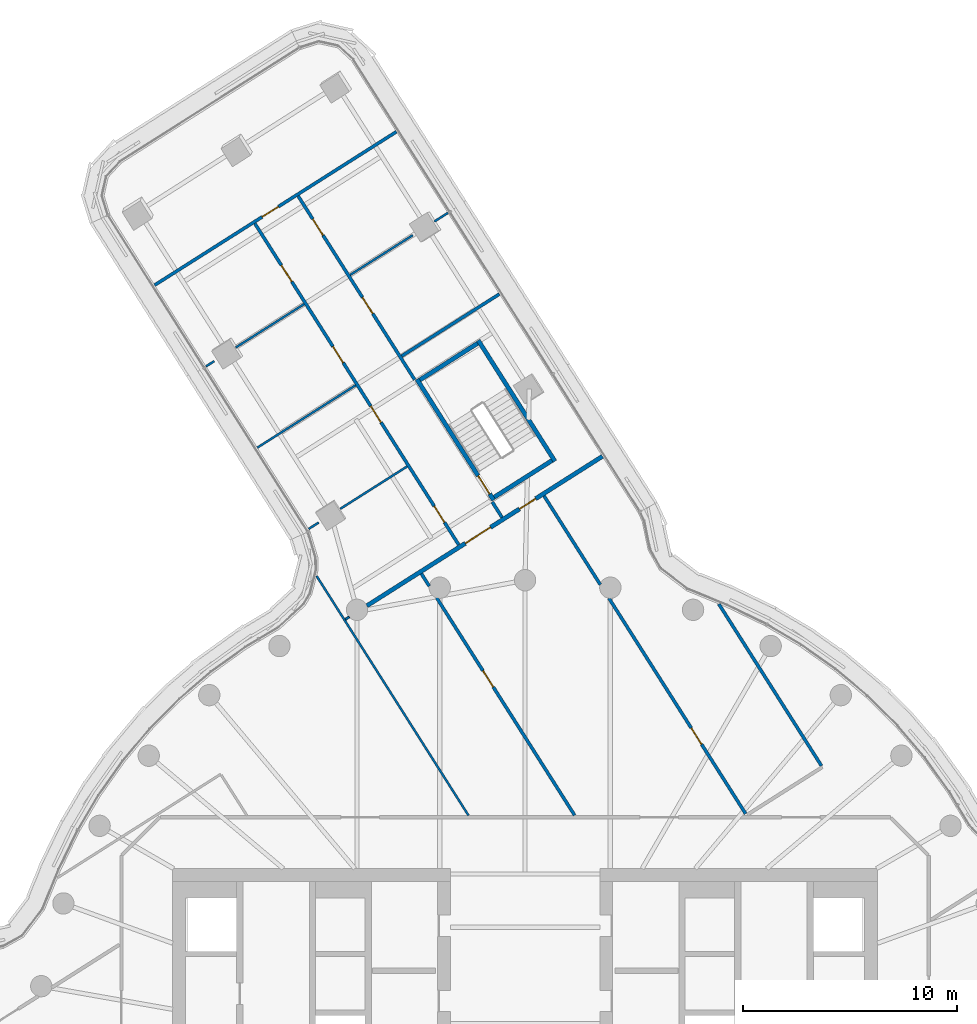
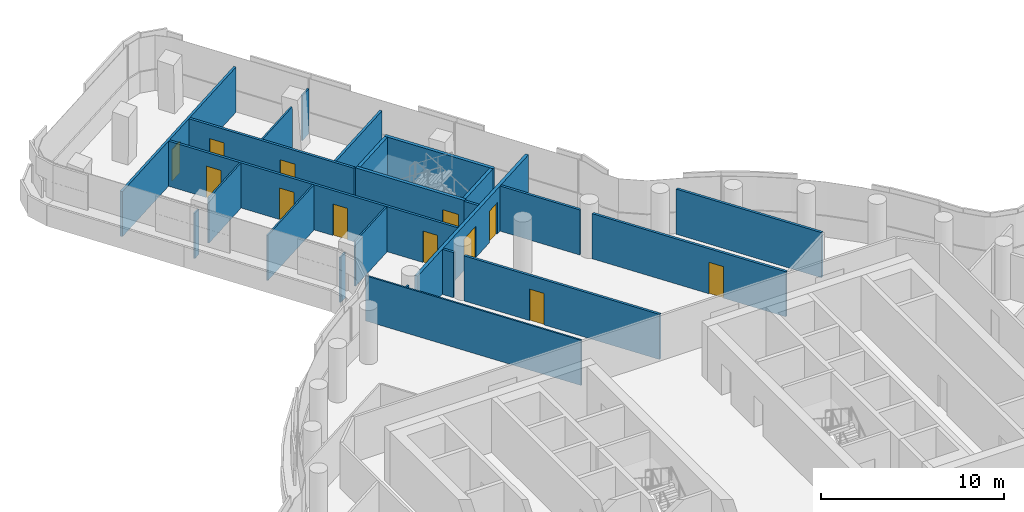
# One storey, part 27 of 36: 24 walls, 12 doors, 12 openings.
"""IFC4 building model written with IfcOpenShell, lengths in metres."""

import ifcopenshell
import ifcopenshell.guid

model = None  # the IFC model being written
_history = None  # IfcOwnerHistory: only IFC2X3 demands one
_inside = {}  # id of a spatial element -> (the spatial element, [elements in it])
_under = {}  # id of a project, library or spatial element -> (it, [spatial elements below it])
_declared = {}  # id of a project -> (the project, [libraries it declares])
_typed = {}  # id of a type object -> (the type object, [elements of that type])
_made_of = {}  # id of a material, layer set ... -> (it, [elements and type objects made of it])


def new_model(schema):
    """Start an empty IFC model of exactly this schema.

    Asked for "IFC4X3", IfcOpenShell would pick the latest addendum, in which some entities
    have other attributes; the version numbers below select the first issue.
    IFC2X3 requires an IfcOwnerHistory on every rooted entity: one is made here for all.
    """
    global model, _history
    if schema == "IFC4X3":
        model = ifcopenshell.file(schema_version=(4, 3, 0, 0))
    else:
        model = ifcopenshell.file(schema=schema)
    _inside.clear()
    _under.clear()
    _declared.clear()
    _typed.clear()
    _made_of.clear()
    _history = None
    if model.schema == "IFC2X3":
        org = make("IfcOrganization", Name="unknown")
        user = make(
            "IfcPersonAndOrganization",
            ThePerson=make("IfcPerson", FamilyName="unknown"),
            TheOrganization=org,
        )
        app = make(
            "IfcApplication",
            ApplicationDeveloper=org,
            Version="unknown",
            ApplicationFullName="unknown",
            ApplicationIdentifier="unknown",
        )
        _history = make(
            "IfcOwnerHistory",
            OwningUser=user,
            OwningApplication=app,
            ChangeAction="ADDED",
            CreationDate=0,
        )
    return model


def make(cls, **values):
    """One entity of the class cls with the attributes given. An attribute that is None is left unset."""
    return model.create_entity(
        cls, **{name: value for name, value in values.items() if value is not None}
    )


def rooted(cls, **values):
    """An entity with a GlobalId (a new one), such as an element, a storey or a relation."""
    return make(cls, GlobalId=ifcopenshell.guid.new(), OwnerHistory=_history, **values)


def si_unit(unit_type, name, prefix=None):
    """IfcSIUnit, for example si_unit("LENGTHUNIT", "METRE", prefix="MILLI")."""
    return make("IfcSIUnit", UnitType=unit_type, Prefix=prefix, Name=name)


def assignment(units):
    """IfcUnitAssignment: the units of a project."""
    return None if units is None else make("IfcUnitAssignment", Units=units)


def point(xyz):
    """IfcCartesianPoint."""
    return None if xyz is None else make("IfcCartesianPoint", Coordinates=xyz)


def direction(xyz):
    """IfcDirection."""
    return None if xyz is None else make("IfcDirection", DirectionRatios=xyz)


def frame(location, z_axis=None, x_axis=None):
    """IfcAxis2Placement3D, a coordinate frame: its origin and axes. An axis left out is left unset."""
    return make(
        "IfcAxis2Placement3D",
        Location=point(location),
        Axis=direction(z_axis),
        RefDirection=direction(x_axis),
    )


def frame_2d(location, x_axis=None):
    """IfcAxis2Placement2D, a coordinate frame in the plane: its origin and x axis."""
    return make(
        "IfcAxis2Placement2D", Location=point(location), RefDirection=direction(x_axis)
    )


def origin():
    """The frame at (0, 0, 0) with its axes left unset."""
    return frame((0.0, 0.0, 0.0))


def place(relative_to, where):
    """IfcLocalPlacement: puts the frame where relative to a parent placement (None: the world)."""
    return make(
        "IfcLocalPlacement", PlacementRelTo=relative_to, RelativePlacement=where
    )


def context(
    kind, dimensions, precision=None, world=None, true_north=None, identifier=None
):
    """IfcGeometricRepresentationContext, for example the 3D "Model" context."""
    return make(
        "IfcGeometricRepresentationContext",
        ContextIdentifier=identifier,
        ContextType=kind,
        CoordinateSpaceDimension=dimensions,
        Precision=precision,
        WorldCoordinateSystem=world,
        TrueNorth=true_north,
    )


def subcontext(parent, identifier, kind, view, scale=None):
    """IfcGeometricRepresentationSubContext, for example "Body" below "Model"."""
    return make(
        "IfcGeometricRepresentationSubContext",
        ContextIdentifier=identifier,
        ContextType=kind,
        ParentContext=parent,
        TargetScale=scale,
        TargetView=view,
    )


def project(units=None, contexts=None):
    """IfcProject with its units and contexts."""
    return rooted(
        "IfcProject",
        Name="project",
        RepresentationContexts=contexts,
        UnitsInContext=assignment(units),
    )


def spatial(cls, under=None, at=None, **own):
    """A site, building, storey or space (cls), placed at a placement, below another one or the project."""
    s = rooted(cls, ObjectPlacement=at, **own)
    if under is not None:
        _under.setdefault(under.id(), (under, []))[1].append(s)
    return s


def polyline(points):
    """IfcPolyline through the points."""
    return make("IfcPolyline", Points=[point(p) for p in points])


def profile(cls, at=None, kind="AREA", **sizes):
    """A parametric profile (cls). Its sizes go by their IFC names, for example OverallWidth=200.0."""
    return make(cls, ProfileType=kind, Position=at, **sizes)


def rectangle(**sizes):
    """IfcRectangleProfileDef."""
    return profile("IfcRectangleProfileDef", **sizes)


def outline(outer, holes=None, kind="AREA"):
    """IfcArbitraryClosedProfileDef: a profile drawn as a closed curve; with holes, ...WithVoids."""
    if holes is None:
        return make("IfcArbitraryClosedProfileDef", ProfileType=kind, OuterCurve=outer)
    return make(
        "IfcArbitraryProfileDefWithVoids",
        ProfileType=kind,
        OuterCurve=outer,
        InnerCurves=holes,
    )


def extrude(swept, where, along, depth):
    """IfcExtrudedAreaSolid: the profile swept, set in the frame where, extruded along a direction by depth."""
    return make(
        "IfcExtrudedAreaSolid",
        SweptArea=swept,
        Position=where,
        ExtrudedDirection=direction(along),
        Depth=depth,
    )


def shape(context_of_items, identifier, shape_type, items):
    """IfcShapeRepresentation: the items that make up one representation, for example the "Body"."""
    return make(
        "IfcShapeRepresentation",
        ContextOfItems=context_of_items,
        RepresentationIdentifier=identifier,
        RepresentationType=shape_type,
        Items=items,
    )


def material(Name=None, Category=None):
    """IfcMaterial."""
    return make("IfcMaterial", Name=Name, Category=Category)


def layer(
    of_material, thickness, ventilated=None, Name=None, Category=None, Priority=None
):
    """IfcMaterialLayer: one layer of a wall or slab, of a material (None: an air gap)."""
    return make(
        "IfcMaterialLayer",
        Material=of_material,
        LayerThickness=thickness,
        IsVentilated=ventilated,
        Name=Name,
        Category=Category,
        Priority=Priority,
    )


def layer_set(layers, Name=None):
    """IfcMaterialLayerSet."""
    return make("IfcMaterialLayerSet", MaterialLayers=layers, LayerSetName=Name)


def made_of(thing, what):
    """Note that an element or type object is made of a material, layer set ...; save() writes the relation."""
    if what is not None:
        _made_of.setdefault(what.id(), (what, []))[1].append(thing)
    return thing


def type_object(cls, material=None, **own):
    """A type object (cls), such as IfcWallType, which elements share."""
    return made_of(rooted(cls, **own), material)


def element(
    cls,
    number,
    at=None,
    inside=None,
    cuts=None,
    type_object=None,
    material=None,
    context=None,
    identifier="Body",
    shape_type=None,
    held_by="IfcProductDefinitionShape",
    body=None,
    shapes=None,
    **own,
):
    """One element of the class cls, such as IfcWall. Its Tag is "e" and its number.

    at: its placement. inside: the storey or other place that contains it. cuts: it is an
    opening in that element (IfcRelVoidsElement). A single representation is given by context,
    identifier, shape_type and body (its items); several are given by shapes. held_by: the class
    of the entity that holds the representations. save() writes the other relations.
    """
    e = rooted(cls, Tag="e%d" % number, ObjectPlacement=at, **own)
    if body is not None:
        shapes = [shape(context, identifier, shape_type, body)]
    if shapes is not None:
        e.Representation = make(held_by, Representations=shapes)
    if inside is not None:
        _inside.setdefault(inside.id(), (inside, []))[1].append(e)
    if cuts is not None:
        rooted(
            "IfcRelVoidsElement", RelatingBuildingElement=cuts, RelatedOpeningElement=e
        )
    if type_object is not None:
        _typed.setdefault(type_object.id(), (type_object, []))[1].append(e)
    return made_of(e, material)


def fill(opening, filler):
    """IfcRelFillsElement: the door or window that sits in an opening."""
    return rooted(
        "IfcRelFillsElement",
        RelatingOpeningElement=opening,
        RelatedBuildingElement=filler,
    )


def aggregate(whole, parts):
    """IfcRelAggregates: a whole, such as a stair, and the parts it consists of."""
    return rooted("IfcRelAggregates", RelatingObject=whole, RelatedObjects=parts)


def save(model, path):
    """Write the relations noted so far, then the file.

    IfcRelAggregates (storeys below a building ...), IfcRelContainedInSpatialStructure (elements
    in a storey), IfcRelDefinesByType, IfcRelAssociatesMaterial and IfcRelDeclares: one each for
    every whole, place, type object, material and project.
    """
    for whole, parts in _under.values():
        aggregate(whole, parts)
    for where, things in _inside.values():
        rooted(
            "IfcRelContainedInSpatialStructure",
            RelatedElements=things,
            RelatingStructure=where,
        )
    for kind, things in _typed.values():
        rooted("IfcRelDefinesByType", RelatedObjects=things, RelatingType=kind)
    for what, things in _made_of.values():
        rooted("IfcRelAssociatesMaterial", RelatedObjects=things, RelatingMaterial=what)
    for by, libraries in _declared.values():
        rooted("IfcRelDeclares", RelatingContext=by, RelatedDefinitions=libraries)
    model.write(path)


model = new_model("IFC4")

# Units and contexts
model_context = context("Model", 3, precision=1e-05, world=origin(), true_north=direction((0.0, 1.0)))
body_context = subcontext(model_context, "Body", "Model", "MODEL_VIEW")
ifc_project = project(units=[si_unit("LENGTHUNIT", "METRE"), si_unit("AREAUNIT", "SQUARE_METRE"), si_unit("VOLUMEUNIT", "CUBIC_METRE"), si_unit("PLANEANGLEUNIT", "RADIAN"), si_unit("MASSUNIT", "GRAM", prefix="KILO")], contexts=[model_context])

# Site, building, storey
site_placement = place(None, origin())
site = spatial("IfcSite", under=ifc_project, at=site_placement, CompositionType="ELEMENT")
building_placement = place(site_placement, origin())
building = spatial("IfcBuilding", under=site, at=building_placement, Name="Tamarind Cross Interchange Tower", CompositionType="ELEMENT")
storey_placement = place(building_placement, frame((0.0, 0.0, 151.75)))
storey = spatial("IfcBuildingStorey", under=building, at=storey_placement, Name="L37", CompositionType="ELEMENT", Elevation=151.75)

# Walls
ifc_material_1 = material(Name="Gypsum board partition on steel studs", Category="steel")
ifc_layer_1 = layer(ifc_material_1, 0.10009765625)
ifc_layer_set_1 = layer_set([ifc_layer_1], Name="Gypsum board partition on steel studs")
wall_type_1 = type_object("IfcWallType", Name="Partition 100 mm EI 90", PredefinedType="PARTITIONING", material=ifc_layer_set_1)
wall_1_placement = place(storey_placement, frame((-9.75927734375, 23.19677734375, 0.0), z_axis=(0.0, 0.0, 1.0), x_axis=(0.535675709716, -0.844423788166, 0.0)))
element("IfcWall", 1, at=wall_1_placement, inside=storey, type_object=wall_type_1, Name="Partition L37-014", PredefinedType="PARTITIONING", context=body_context, shape_type="SweptSolid", body=[
    extrude(rectangle(XDim=13.278076171875, YDim=0.10009765625, at=frame_2d((6.63916015625, 0.0))), origin(), (0.0, 0.0, 1.0), 3.010009765625),
])
wall_2_placement = place(storey_placement, frame((-14.93896484375, 33.0107421875, 0.0), z_axis=(0.0, 0.0, 1.0), x_axis=(0.844537965425, 0.535495681547, 0.0)))
element("IfcWall", 2, at=wall_2_placement, inside=storey, type_object=wall_type_1, Name="Partition L37-046", PredefinedType="PARTITIONING", context=body_context, shape_type="SweptSolid", body=[
    extrude(rectangle(XDim=0.458251953125, YDim=0.10009765625, at=frame_2d((0.22900390625, 0.0))), origin(), (0.0, 0.0, 1.0), 3.010009765625),
])
wall_3_placement = place(storey_placement, frame((-13.5439453125, 33.8955078125, 0.0), z_axis=(0.0, 0.0, 1.0), x_axis=(0.844440361091, 0.53564958374, 0.0)))
element("IfcWall", 3, at=wall_3_placement, inside=storey, type_object=wall_type_1, Name="Partition L37-047", PredefinedType="PARTITIONING", context=body_context, shape_type="SweptSolid", body=[
    extrude(rectangle(XDim=3.790283203125, YDim=0.10009765625, at=frame_2d((1.89501953125, 0.0))), origin(), (0.0, 0.0, 1.0), 3.010009765625),
])
wall_4_placement = place(storey_placement, frame((-8.1865234375, 37.2939453125, 0.0), z_axis=(0.0, 0.0, 1.0), x_axis=(0.844457345338, 0.535622807492, 0.0)))
element("IfcWall", 4, at=wall_4_placement, inside=storey, type_object=wall_type_1, Name="Partition L37-048", PredefinedType="PARTITIONING", context=body_context, shape_type="SweptSolid", body=[
    extrude(rectangle(XDim=3.469482421875, YDim=0.10009765625, at=frame_2d((1.73486328125, 0.0))), origin(), (0.0, 0.0, 1.0), 3.010009765625),
])
wall_5_placement = place(storey_placement, frame((-4.24755859375, 39.79248046875, 0.0), z_axis=(0.0, 0.0, 1.0), x_axis=(0.84432660675, 0.535828872993, 0.0)))
element("IfcWall", 5, at=wall_5_placement, inside=storey, type_object=wall_type_1, Name="Partition L37-049", PredefinedType="PARTITIONING", context=body_context, shape_type="SweptSolid", body=[
    extrude(rectangle(XDim=0.7548828125, YDim=0.10009765625, at=frame_2d((0.37744140625, 0.0))), origin(), (0.0, 0.0, 1.0), 3.010009765625),
])
wall_6_placement = place(storey_placement, frame((-12.5361328125, 29.20556640625, 0.0), z_axis=(0.0, 0.0, 1.0), x_axis=(0.844398384945, 0.535715752524, 0.0)))
element("IfcWall", 6, at=wall_6_placement, inside=storey, type_object=wall_type_1, Name="Partition L37-051", PredefinedType="PARTITIONING", context=body_context, shape_type="SweptSolid", body=[
    extrude(rectangle(XDim=5.450927734375, YDim=0.10009765625, at=frame_2d((2.7255859375, 0.0))), origin(), (0.0, 0.0, 1.0), 3.010009765625),
])
wall_7_placement = place(storey_placement, frame((-10.1337890625, 25.400634765625, 0.0), z_axis=(0.0, 0.0, 1.0), x_axis=(0.844272415636, 0.535914254519, 0.0)))
element("IfcWall", 7, at=wall_7_placement, inside=storey, type_object=wall_type_1, Name="Partition L37-053", PredefinedType="PARTITIONING", context=body_context, shape_type="SweptSolid", body=[
    extrude(rectangle(XDim=0.55908203125, YDim=0.10009765625, at=frame_2d((0.279541015625, 0.0))), origin(), (0.0, 0.0, 1.0), 3.010009765625),
])
wall_8_placement = place(storey_placement, frame((-8.653564453125, 26.339599609375, 0.0), z_axis=(0.0, 0.0, 1.0), x_axis=(0.84446572518, 0.535609595691, 0.0)))
element("IfcWall", 8, at=wall_8_placement, inside=storey, type_object=wall_type_1, Name="Partition L37-054", PredefinedType="PARTITIONING", context=body_context, shape_type="SweptSolid", body=[
    extrude(rectangle(XDim=3.7080078125, YDim=0.10009765625, at=frame_2d((1.85400390625, 0.0))), origin(), (0.0, 0.0, 1.0), 3.010009765625),
])
wall_9_placement = place(storey_placement, frame((-8.410888671875, 21.164794921875, 0.0), z_axis=(0.0, 0.0, 1.0), x_axis=(0.844784764611, 0.535106252516, 0.0)))
element("IfcWall", 9, at=wall_9_placement, inside=storey, type_object=wall_type_1, Name="Partition L37-055", PredefinedType="PARTITIONING", context=body_context, shape_type="SweptSolid", body=[
    extrude(rectangle(XDim=0.21435546875, YDim=0.10009765625, at=frame_2d((0.107177734375, 0.0))), origin(), (0.0, 0.0, 1.0), 3.010009765625),
])

# Wall, openings, doors
ifc_layer_2 = layer(ifc_material_1, 0.14990234375)
ifc_layer_set_2 = layer_set([ifc_layer_2], Name="Gypsum board partition on steel studs")
wall_type_2 = type_object("IfcWallType", Name="Partition 150 mm EI 120", PredefinedType="PARTITIONING", material=ifc_layer_set_2)
wall_10_placement = place(storey_placement, frame((-12.648193359375, 39.698486328125, 0.0), z_axis=(0.0, 0.0, 1.0), x_axis=(0.535741772752, -0.844381876244, 0.0)))
wall_10 = element("IfcWall", 10, at=wall_10_placement, inside=storey, type_object=wall_type_2, Name="Partition L37-009", PredefinedType="PARTITIONING", context=body_context, shape_type="SweptSolid", body=[
    extrude(rectangle(XDim=17.8154296875, YDim=0.14990234375, at=frame_2d((8.90771484375, 0.0))), origin(), (0.0, 0.0, 1.0), 3.010009765625),
])
opening_1_placement = place(wall_10_placement, frame((15.67041015625, 0.0, 0.0)))
opening_1 = element("IfcOpeningElement", 11, at=opening_1_placement, cuts=wall_10, Name="Opening D03", PredefinedType="OPENING", context=body_context, shape_type="SweptSolid", body=[
    extrude(rectangle(XDim=0.89990234375, YDim=2.10009765625, at=frame_2d((0.449951171875, 1.050048828125))), frame((0.0, 0.0849609375, 0.0), z_axis=(0.0, -1.0, 0.0), x_axis=(1.0, 0.0, 0.0)), (0.0, 0.0, 1.0), 0.169921875),
])
opening_2_placement = place(wall_10_placement, frame((10.1201171875, 0.0, 0.0)))
opening_2 = element("IfcOpeningElement", 12, at=opening_2_placement, cuts=wall_10, Name="Opening D04", PredefinedType="OPENING", context=body_context, shape_type="SweptSolid", body=[
    extrude(rectangle(XDim=0.89990234375, YDim=2.10009765625, at=frame_2d((0.449951171875, 1.050048828125))), frame((0.0, 0.0849609375, 0.0), z_axis=(0.0, -1.0, 0.0), x_axis=(1.0, 0.0, 0.0)), (0.0, 0.0, 1.0), 0.169921875),
])
opening_3_placement = place(wall_10_placement, frame((6.8203125, 0.0, 0.0)))
opening_3 = element("IfcOpeningElement", 13, at=opening_3_placement, cuts=wall_10, Name="Opening D05", PredefinedType="OPENING", context=body_context, shape_type="SweptSolid", body=[
    extrude(rectangle(XDim=0.89990234375, YDim=2.10009765625, at=frame_2d((0.449951171875, 1.050048828125))), frame((0.0, 0.0849609375, 0.0), z_axis=(0.0, -1.0, 0.0), x_axis=(1.0, 0.0, 0.0)), (0.0, 0.0, 1.0), 0.169921875),
])
opening_4_placement = place(wall_10_placement, frame((2.320068359375, 0.0, 0.0)))
opening_4 = element("IfcOpeningElement", 14, at=opening_4_placement, cuts=wall_10, Name="Opening D06", PredefinedType="OPENING", context=body_context, shape_type="SweptSolid", body=[
    extrude(rectangle(XDim=0.89990234375, YDim=2.10009765625, at=frame_2d((0.449951171875, 1.050048828125))), frame((0.0, 0.0849609375, 0.0), z_axis=(0.0, -1.0, 0.0), x_axis=(1.0, 0.0, 0.0)), (0.0, 0.0, 1.0), 0.169921875),
])
ifc_material_2 = material(Name="Fire-resisting door set")
door_type_1 = type_object("IfcDoorType", Name="Interior door 900 x 2100 FD60S", OperationType="SINGLE_SWING_LEFT", PredefinedType="DOOR", material=ifc_material_2)
door_1_placement = place(opening_1_placement, frame((0.89990234375, 0.0, 0.0), z_axis=(0.0, 0.0, 1.0), x_axis=(-1.0, 0.0, 0.0)))
door_1 = element("IfcDoor", 15, at=door_1_placement, inside=storey, type_object=door_type_1, Name="Door D03", OperationType="SINGLE_SWING_RIGHT", OverallHeight=2.10009765625, OverallWidth=0.89990234375, PredefinedType="DOOR", context=body_context, shape_type="SweptSolid", body=[
    extrude(rectangle(XDim=0.89990234375, YDim=2.10009765625, at=frame_2d((0.449951171875, 1.050048828125))), frame((0.0, 0.02490234375, 0.0), z_axis=(0.0, -1.0, 0.0), x_axis=(1.0, 0.0, 0.0)), (0.0, 0.0, 1.0), 0.050048828125),
])
fill(opening_1, door_1)
door_2_placement = place(opening_2_placement, frame((0.89990234375, 0.0, 0.0), z_axis=(0.0, 0.0, 1.0), x_axis=(-1.0, 0.0, 0.0)))
door_2 = element("IfcDoor", 16, at=door_2_placement, inside=storey, type_object=door_type_1, Name="Door D04", OperationType="SINGLE_SWING_RIGHT", OverallHeight=2.10009765625, OverallWidth=0.89990234375, PredefinedType="DOOR", context=body_context, shape_type="SweptSolid", body=[
    extrude(rectangle(XDim=0.89990234375, YDim=2.10009765625, at=frame_2d((0.449951171875, 1.050048828125))), frame((0.0, 0.02490234375, 0.0), z_axis=(0.0, -1.0, 0.0), x_axis=(1.0, 0.0, 0.0)), (0.0, 0.0, 1.0), 0.050048828125),
])
fill(opening_2, door_2)
door_3_placement = place(opening_3_placement, frame((0.89990234375, 0.0, 0.0), z_axis=(0.0, 0.0, 1.0), x_axis=(-1.0, 0.0, 0.0)))
door_3 = element("IfcDoor", 17, at=door_3_placement, inside=storey, type_object=door_type_1, Name="Door D05", OperationType="SINGLE_SWING_LEFT", OverallHeight=2.10009765625, OverallWidth=0.89990234375, PredefinedType="DOOR", context=body_context, shape_type="SweptSolid", body=[
    extrude(rectangle(XDim=0.89990234375, YDim=2.10009765625, at=frame_2d((0.449951171875, 1.050048828125))), frame((0.0, 0.02490234375, 0.0), z_axis=(0.0, -1.0, 0.0), x_axis=(1.0, 0.0, 0.0)), (0.0, 0.0, 1.0), 0.050048828125),
])
fill(opening_3, door_3)
door_4_placement = place(opening_4_placement, frame((0.89990234375, 0.0, 0.0), z_axis=(0.0, 0.0, 1.0), x_axis=(-1.0, 0.0, 0.0)))
door_4 = element("IfcDoor", 18, at=door_4_placement, inside=storey, type_object=door_type_1, Name="Door D06", OperationType="SINGLE_SWING_LEFT", OverallHeight=2.10009765625, OverallWidth=0.89990234375, PredefinedType="DOOR", context=body_context, shape_type="SweptSolid", body=[
    extrude(rectangle(XDim=0.89990234375, YDim=2.10009765625, at=frame_2d((0.449951171875, 1.050048828125))), frame((0.0, 0.02490234375, 0.0), z_axis=(0.0, -1.0, 0.0), x_axis=(1.0, 0.0, 0.0)), (0.0, 0.0, 1.0), 0.050048828125),
])
fill(opening_4, door_4)

wall_11_placement = place(storey_placement, frame((-10.62109375, 40.9833984375, 0.0), z_axis=(0.0, 0.0, 1.0), x_axis=(0.535689291183, -0.84441517236, 0.0)))
wall_11 = element("IfcWall", 19, at=wall_11_placement, inside=storey, type_object=wall_type_2, Name="Partition L37-010", PredefinedType="PARTITIONING", context=body_context, shape_type="SweptSolid", body=[
    extrude(rectangle(XDim=10.17919921875, YDim=0.14990234375, at=frame_2d((5.089599609375, 0.0))), origin(), (0.0, 0.0, 1.0), 3.010009765625),
])
opening_5_placement = place(wall_11_placement, frame((5.619873046875, 0.0, 0.0)))
opening_5 = element("IfcOpeningElement", 20, at=opening_5_placement, cuts=wall_11, Name="Opening D07", PredefinedType="OPENING", context=body_context, shape_type="SweptSolid", body=[
    extrude(rectangle(XDim=0.89990234375, YDim=2.10009765625, at=frame_2d((0.449951171875, 1.050048828125))), frame((0.0, 0.0849609375, 0.0), z_axis=(0.0, -1.0, 0.0), x_axis=(1.0, 0.0, 0.0)), (0.0, 0.0, 1.0), 0.169921875),
])
opening_6_placement = place(wall_11_placement, frame((1.27001953125, 0.0, 0.0)))
opening_6 = element("IfcOpeningElement", 21, at=opening_6_placement, cuts=wall_11, Name="Opening D08", PredefinedType="OPENING", context=body_context, shape_type="SweptSolid", body=[
    extrude(rectangle(XDim=0.89990234375, YDim=2.10009765625, at=frame_2d((0.449951171875, 1.050048828125))), frame((0.0, 0.0849609375, 0.0), z_axis=(0.0, -1.0, 0.0), x_axis=(1.0, 0.0, 0.0)), (0.0, 0.0, 1.0), 0.169921875),
])
door_5_placement = place(opening_5_placement, origin())
door_5 = element("IfcDoor", 22, at=door_5_placement, inside=storey, type_object=door_type_1, Name="Door D07", OperationType="SINGLE_SWING_LEFT", OverallHeight=2.10009765625, OverallWidth=0.89990234375, PredefinedType="DOOR", context=body_context, shape_type="SweptSolid", body=[
    extrude(rectangle(XDim=0.89990234375, YDim=2.10009765625, at=frame_2d((0.449951171875, 1.050048828125))), frame((0.0, 0.02490234375, 0.0), z_axis=(0.0, -1.0, 0.0), x_axis=(1.0, 0.0, 0.0)), (0.0, 0.0, 1.0), 0.050048828125),
])
fill(opening_5, door_5)
door_6_placement = place(opening_6_placement, origin())
door_6 = element("IfcDoor", 23, at=door_6_placement, inside=storey, type_object=door_type_1, Name="Door D08", OperationType="SINGLE_SWING_RIGHT", OverallHeight=2.10009765625, OverallWidth=0.89990234375, PredefinedType="DOOR", context=body_context, shape_type="SweptSolid", body=[
    extrude(rectangle(XDim=0.89990234375, YDim=2.10009765625, at=frame_2d((0.449951171875, 1.050048828125))), frame((0.0, 0.02490234375, 0.0), z_axis=(0.0, -1.0, 0.0), x_axis=(1.0, 0.0, 0.0)), (0.0, 0.0, 1.0), 0.050048828125),
])
fill(opening_6, door_6)

# Walls
wall_12_placement = place(storey_placement, frame((-1.535888671875, 26.662353515625, 0.0), z_axis=(0.0, 0.0, 1.0), x_axis=(0.535636438255, -0.844448699457, 0.0)))
element("IfcWall", 24, at=wall_12_placement, inside=storey, type_object=wall_type_2, Name="Partition L37-011", PredefinedType="PARTITIONING", context=body_context, shape_type="SweptSolid", body=[
    extrude(rectangle(XDim=0.854736328125, YDim=0.14990234375, at=frame_2d((0.42724609375, 0.0))), origin(), (0.0, 0.0, 1.0), 3.010009765625),
])
wall_13_placement = place(storey_placement, frame((-4.853515625, 23.3037109375, 0.0), z_axis=(0.0, 0.0, 1.0), x_axis=(0.535819578174, -0.844332505382, 0.0)))
element("IfcWall", 25, at=wall_13_placement, inside=storey, type_object=wall_type_2, Name="Partition L37-015", PredefinedType="PARTITIONING", context=body_context, shape_type="SweptSolid", body=[
    extrude(rectangle(XDim=0.6884765625, YDim=0.14990234375, at=frame_2d((0.34423828125, 0.0))), origin(), (0.0, 0.0, 1.0), 3.010009765625),
])

# Wall, opening, door
wall_14_placement = place(storey_placement, frame((-4.140625, 22.179931640625, 0.0), z_axis=(0.0, 0.0, 1.0), x_axis=(0.535692040385, -0.844413428285, 0.0)))
wall_14 = element("IfcWall", 26, at=wall_14_placement, inside=storey, type_object=wall_type_2, Name="Partition L37-016", PredefinedType="PARTITIONING", context=body_context, shape_type="SweptSolid", body=[
    extrude(rectangle(XDim=12.05908203125, YDim=0.14990234375, at=frame_2d((6.029541015625, 0.0))), origin(), (0.0, 0.0, 1.0), 3.010009765625),
])
opening_7_placement = place(wall_14_placement, frame((4.050048828125, 0.0, 0.0)))
opening_7 = element("IfcOpeningElement", 27, at=opening_7_placement, cuts=wall_14, Name="Opening D11", PredefinedType="OPENING", context=body_context, shape_type="SweptSolid", body=[
    extrude(rectangle(XDim=0.89990234375, YDim=2.10009765625, at=frame_2d((0.449951171875, 1.050048828125))), frame((0.0, 0.0849609375, 0.0), z_axis=(0.0, -1.0, 0.0), x_axis=(1.0, 0.0, 0.0)), (0.0, 0.0, 1.0), 0.169921875),
])
door_7_placement = place(opening_7_placement, frame((0.89990234375, 0.0, 0.0), z_axis=(0.0, 0.0, 1.0), x_axis=(-1.0, 0.0, 0.0)))
door_7 = element("IfcDoor", 28, at=door_7_placement, inside=storey, type_object=door_type_1, Name="Door D11", OperationType="SINGLE_SWING_LEFT", OverallHeight=2.10009765625, OverallWidth=0.89990234375, PredefinedType="DOOR", context=body_context, shape_type="SweptSolid", body=[
    extrude(rectangle(XDim=0.89990234375, YDim=2.10009765625, at=frame_2d((0.449951171875, 1.050048828125))), frame((0.0, 0.02490234375, 0.0), z_axis=(0.0, -1.0, 0.0), x_axis=(1.0, 0.0, 0.0)), (0.0, 0.0, 1.0), 0.050048828125),
])
fill(opening_7, door_7)

# Wall
wall_15_placement = place(storey_placement, frame((0.8896484375, 26.945556640625, 0.0), z_axis=(0.0, 0.0, 1.0), x_axis=(0.535621508911, -0.844458169001, 0.0)))
element("IfcWall", 29, at=wall_15_placement, inside=storey, type_object=wall_type_2, Name="Partition L37-019", PredefinedType="PARTITIONING", context=body_context, shape_type="SweptSolid", body=[
    extrude(rectangle(XDim=4.91552734375, YDim=0.14990234375, at=frame_2d((2.457763671875, 0.0))), origin(), (0.0, 0.0, 1.0), 3.010009765625),
])

# Wall, opening, door
wall_16_placement = place(storey_placement, frame((3.92578125, 22.15869140625, 0.0), z_axis=(0.0, 0.0, 1.0), x_axis=(0.53563370317, -0.844450434323, 0.0)))
wall_16 = element("IfcWall", 30, at=wall_16_placement, inside=storey, type_object=wall_type_2, Name="Partition L37-020", PredefinedType="PARTITIONING", context=body_context, shape_type="SweptSolid", body=[
    extrude(rectangle(XDim=11.950927734375, YDim=0.14990234375, at=frame_2d((5.9755859375, 0.0))), origin(), (0.0, 0.0, 1.0), 3.010009765625),
])
opening_8_placement = place(wall_16_placement, frame((7.199951171875, 0.0, 0.0)))
opening_8 = element("IfcOpeningElement", 31, at=opening_8_placement, cuts=wall_16, Name="Opening D14", PredefinedType="OPENING", context=body_context, shape_type="SweptSolid", body=[
    extrude(rectangle(XDim=0.89990234375, YDim=2.10009765625, at=frame_2d((0.449951171875, 1.050048828125))), frame((0.0, 0.0849609375, 0.0), z_axis=(0.0, -1.0, 0.0), x_axis=(1.0, 0.0, 0.0)), (0.0, 0.0, 1.0), 0.169921875),
])
door_8_placement = place(opening_8_placement, origin())
door_8 = element("IfcDoor", 32, at=door_8_placement, inside=storey, type_object=door_type_1, Name="Door D14", OperationType="SINGLE_SWING_LEFT", OverallHeight=2.10009765625, OverallWidth=0.89990234375, PredefinedType="DOOR", context=body_context, shape_type="SweptSolid", body=[
    extrude(rectangle(XDim=0.89990234375, YDim=2.10009765625, at=frame_2d((0.449951171875, 1.050048828125))), frame((0.0, 0.02490234375, 0.0), z_axis=(0.0, -1.0, 0.0), x_axis=(1.0, 0.0, 0.0)), (0.0, 0.0, 1.0), 0.050048828125),
])
fill(opening_8, door_8)

# Wall
wall_17_placement = place(storey_placement, frame((9.0732421875, 21.884521484375, 0.0), z_axis=(0.0, 0.0, 1.0), x_axis=(0.535664679525, -0.844430785268, 0.0)))
element("IfcWall", 33, at=wall_17_placement, inside=storey, type_object=wall_type_2, Name="Partition L37-027", PredefinedType="PARTITIONING", context=body_context, shape_type="SweptSolid", body=[
    extrude(rectangle(XDim=8.96728515625, YDim=0.14990234375, at=frame_2d((4.483642578125, 0.0))), origin(), (0.0, 0.0, 1.0), 3.010009765625),
])

# Wall, opening, door
wall_18_placement = place(storey_placement, frame((-17.34130859375, 36.8154296875, 0.0), z_axis=(0.0, 0.0, 1.0), x_axis=(0.844385818694, 0.53573555901, 0.0)))
wall_18 = element("IfcWall", 34, at=wall_18_placement, inside=storey, type_object=wall_type_2, Name="Partition L37-045", PredefinedType="PARTITIONING", context=body_context, shape_type="SweptSolid", body=[
    extrude(rectangle(XDim=13.406494140625, YDim=0.14990234375, at=frame_2d((6.703125, 0.0))), origin(), (0.0, 0.0, 1.0), 3.010009765625),
])
opening_9_placement = place(wall_18_placement, frame((5.957275390625, 0.0, 0.0)))
opening_9 = element("IfcOpeningElement", 35, at=opening_9_placement, cuts=wall_18, Name="Opening D33", PredefinedType="OPENING", context=body_context, shape_type="SweptSolid", body=[
    extrude(rectangle(XDim=0.89990234375, YDim=2.10009765625, at=frame_2d((0.449951171875, 1.050048828125))), frame((0.0, 0.0849609375, 0.0), z_axis=(0.0, -1.0, 0.0), x_axis=(1.0, 0.0, 0.0)), (0.0, 0.0, 1.0), 0.169921875),
])
door_9_placement = place(opening_9_placement, origin())
door_9 = element("IfcDoor", 36, at=door_9_placement, inside=storey, type_object=door_type_1, Name="Door D33", OperationType="SINGLE_SWING_RIGHT", OverallHeight=2.10009765625, OverallWidth=0.89990234375, PredefinedType="DOOR", context=body_context, shape_type="SweptSolid", body=[
    extrude(rectangle(XDim=0.89990234375, YDim=2.10009765625, at=frame_2d((0.449951171875, 1.050048828125))), frame((0.0, 0.02490234375, 0.0), z_axis=(0.0, -1.0, 0.0), x_axis=(1.0, 0.0, 0.0)), (0.0, 0.0, 1.0), 0.050048828125),
])
fill(opening_9, door_9)

# Wall
wall_19_placement = place(storey_placement, frame((-5.775390625, 33.494873046875, 0.0), z_axis=(0.0, 0.0, 1.0), x_axis=(0.844397229275, 0.535717574093, 0.0)))
element("IfcWall", 37, at=wall_19_placement, inside=storey, type_object=wall_type_2, Name="Partition L37-052", PredefinedType="PARTITIONING", context=body_context, shape_type="SweptSolid", body=[
    extrude(rectangle(XDim=5.418701171875, YDim=0.14990234375, at=frame_2d((2.70947265625, 0.0))), origin(), (0.0, 0.0, 1.0), 3.010009765625),
])

# Wall, openings, doors
ifc_layer_3 = layer(ifc_material_1, 0.199951171875)
ifc_layer_set_3 = layer_set([ifc_layer_3], Name="Gypsum board partition on steel studs")
wall_type_3 = type_object("IfcWallType", Name="Partition 200 mm EI 180", PredefinedType="PARTITIONING", material=ifc_layer_set_3)
wall_20_placement = place(storey_placement, frame((-7.406982421875, 21.8017578125, 0.0), z_axis=(0.0, 0.0, 1.0), x_axis=(0.844365849888, 0.535767031035, 0.0)))
wall_20 = element("IfcWall", 38, at=wall_20_placement, inside=storey, type_object=wall_type_3, Name="Partition L37-056", PredefinedType="PARTITIONING", context=body_context, shape_type="SweptSolid", body=[
    extrude(rectangle(XDim=13.059814453125, YDim=0.199951171875, at=frame_2d((6.52978515625, 0.0))), origin(), (0.0, 0.0, 1.0), 3.010009765625),
])
opening_10_placement = place(wall_20_placement, frame((5.460693359375, 0.0, 0.0)))
opening_10 = element("IfcOpeningElement", 39, at=opening_10_placement, cuts=wall_20, Name="Opening D34", PredefinedType="OPENING", context=body_context, shape_type="SweptSolid", body=[
    extrude(rectangle(XDim=1.39990234375, YDim=2.10009765625, at=frame_2d((0.699951171875, 1.050048828125))), frame((0.0, 0.10986328125, 0.0), z_axis=(0.0, -1.0, 0.0), x_axis=(1.0, 0.0, 0.0)), (0.0, 0.0, 1.0), 0.219970703125),
])
opening_11_placement = place(wall_20_placement, frame((8.461181640625, 0.0, 0.0)))
opening_11 = element("IfcOpeningElement", 40, at=opening_11_placement, cuts=wall_20, Name="Opening D35", PredefinedType="OPENING", context=body_context, shape_type="SweptSolid", body=[
    extrude(rectangle(XDim=0.89990234375, YDim=2.10009765625, at=frame_2d((0.449951171875, 1.050048828125))), frame((0.0, 0.10986328125, 0.0), z_axis=(0.0, -1.0, 0.0), x_axis=(1.0, 0.0, 0.0)), (0.0, 0.0, 1.0), 0.219970703125),
])
door_type_2 = type_object("IfcDoorType", Name="Interior door 1400 x 2100 FD120S", OperationType="DOUBLE_DOOR_SINGLE_SWING", PredefinedType="DOOR", material=ifc_material_2)
door_10_placement = place(opening_10_placement, frame((1.39990234375, 0.0, 0.0), z_axis=(0.0, 0.0, 1.0), x_axis=(-1.0, 0.0, 0.0)))
door_10 = element("IfcDoor", 41, at=door_10_placement, inside=storey, type_object=door_type_2, Name="Door D34", OperationType="DOUBLE_DOOR_SINGLE_SWING", OverallHeight=2.10009765625, OverallWidth=1.39990234375, PredefinedType="DOOR", context=body_context, shape_type="SweptSolid", body=[
    extrude(rectangle(XDim=1.39990234375, YDim=2.10009765625, at=frame_2d((0.699951171875, 1.050048828125))), frame((0.0, 0.02490234375, 0.0), z_axis=(0.0, -1.0, 0.0), x_axis=(1.0, 0.0, 0.0)), (0.0, 0.0, 1.0), 0.050048828125),
])
fill(opening_10, door_10)
door_type_3 = type_object("IfcDoorType", Name="Interior door 900 x 2100 FD120S", OperationType="SINGLE_SWING_LEFT", PredefinedType="DOOR", material=ifc_material_2)
door_11_placement = place(opening_11_placement, origin())
door_11 = element("IfcDoor", 42, at=door_11_placement, inside=storey, type_object=door_type_3, Name="Door D35", OperationType="SINGLE_SWING_LEFT", OverallHeight=2.10009765625, OverallWidth=0.89990234375, PredefinedType="DOOR", context=body_context, shape_type="SweptSolid", body=[
    extrude(rectangle(XDim=0.89990234375, YDim=2.10009765625, at=frame_2d((0.449951171875, 1.050048828125))), frame((0.0, 0.02490234375, 0.0), z_axis=(0.0, -1.0, 0.0), x_axis=(1.0, 0.0, 0.0)), (0.0, 0.0, 1.0), 0.050048828125),
])
fill(opening_11, door_11)

# Wall, opening, door
ifc_material_3 = material(Name="Concrete C40", Category="concrete")
ifc_layer_4 = layer(ifc_material_3, 0.199951171875)
ifc_layer_set_4 = layer_set([ifc_layer_4], Name="Concrete C40")
wall_type_4 = type_object("IfcWallType", Name="Stair shaft wall 200 mm Concrete C40", PredefinedType="SHEAR", material=ifc_layer_set_4)
wall_21_placement = place(storey_placement, frame((-1.473388671875, 26.74951171875, -0.139892578125), z_axis=(0.0, 0.0, 1.0), x_axis=(-0.53565357943, 0.844437826511, 0.0)))
wall_21 = element("IfcWall", 43, at=wall_21_placement, inside=storey, type_object=wall_type_4, Name="Core wall CWL-L37-ST4-H", PredefinedType="SHEAR", context=body_context, shape_type="SweptSolid", body=[
    extrude(rectangle(XDim=6.699951171875, YDim=0.199951171875, at=frame_2d((3.35009765625, 0.0))), origin(), (0.0, 0.0, 1.0), 3.14990234375),
])
opening_12_placement = place(wall_21_placement, frame((0.35009765625, 0.0, 0.0)))
opening_12 = element("IfcOpeningElement", 44, at=opening_12_placement, cuts=wall_21, Name="Opening ST4L37", PredefinedType="OPENING", context=body_context, shape_type="SweptSolid", body=[
    extrude(rectangle(XDim=1.0, YDim=2.10009765625, at=frame_2d((0.5, 1.050048828125))), frame((0.0, 0.10986328125, 0.0), z_axis=(0.0, -1.0, 0.0), x_axis=(1.0, 0.0, 0.0)), (0.0, 0.0, 1.0), 0.219970703125),
])
ifc_material_4 = material(Name="Steel, fire-resisting", Category="steel")
door_type_4 = type_object("IfcDoorType", Name="Core fire door 1000 x 2100 FD90", OperationType="SINGLE_SWING_LEFT", PredefinedType="DOOR", material=ifc_material_4)
door_12_placement = place(opening_12_placement, origin())
door_12 = element("IfcDoor", 45, at=door_12_placement, inside=storey, type_object=door_type_4, Name="L37 stair door ST4", OperationType="SINGLE_SWING_LEFT", OverallHeight=2.10009765625, OverallWidth=1.0, PredefinedType="DOOR", context=body_context, shape_type="SweptSolid", body=[
    extrude(rectangle(XDim=1.0, YDim=2.10009765625, at=frame_2d((0.5, 1.050048828125))), frame((0.0, 0.02490234375, 0.0), z_axis=(0.0, -1.0, 0.0), x_axis=(1.0, 0.0, 0.0)), (0.0, 0.0, 1.0), 0.050048828125),
])
fill(opening_12, door_12)

# Walls
wall_22_placement = place(storey_placement, frame((1.397705078125, 28.57080078125, -0.139892578125), z_axis=(0.0, 0.0, 1.0), x_axis=(-0.535679562432, 0.844421344112, 0.0)))
element("IfcWall", 46, at=wall_22_placement, inside=storey, type_object=wall_type_4, Name="Core wall CWL-L37-ST4-C", PredefinedType="SHEAR", context=body_context, shape_type="SweptSolid", body=[
    extrude(rectangle(XDim=6.7001953125, YDim=0.199951171875, at=frame_2d((3.35009765625, 0.0))), origin(), (0.0, 0.0, 1.0), 3.14990234375),
])
wall_23_placement = place(storey_placement, frame((1.259521484375, 28.601806640625, -0.139892578125), z_axis=(0.0, 0.0, 1.0), x_axis=(-0.844408406206, -0.535699956625, 0.0)))
element("IfcWall", 47, at=wall_23_placement, inside=storey, type_object=wall_type_4, Name="Core wall CWL-L37-ST4-CE", PredefinedType="SHEAR", context=body_context, shape_type="SweptSolid", body=[
    extrude(rectangle(XDim=3.19970703125, YDim=0.199951171875, at=frame_2d((1.599853515625, 0.0))), origin(), (0.0, 0.0, 1.0), 3.14990234375),
])
wall_24_placement = place(storey_placement, frame((0.0, 0.0, -0.139892578125)))
element("IfcWall", 48, at=wall_24_placement, inside=storey, type_object=wall_type_4, Name="Core wall CWL-L37-ST4-CF", PredefinedType="SHEAR", context=body_context, shape_type="SweptSolid", body=[
    extrude(outline(polyline([(-2.168701171875, 34.006103515625), (-2.275634765625, 34.175048828125), (-4.977783203125, 32.4609375), (-4.870849609375, 32.2919921875), (-2.168701171875, 34.006103515625)])), origin(), (0.0, 0.0, 1.0), 3.14990234375),
])

save(model, "model.ifc")
